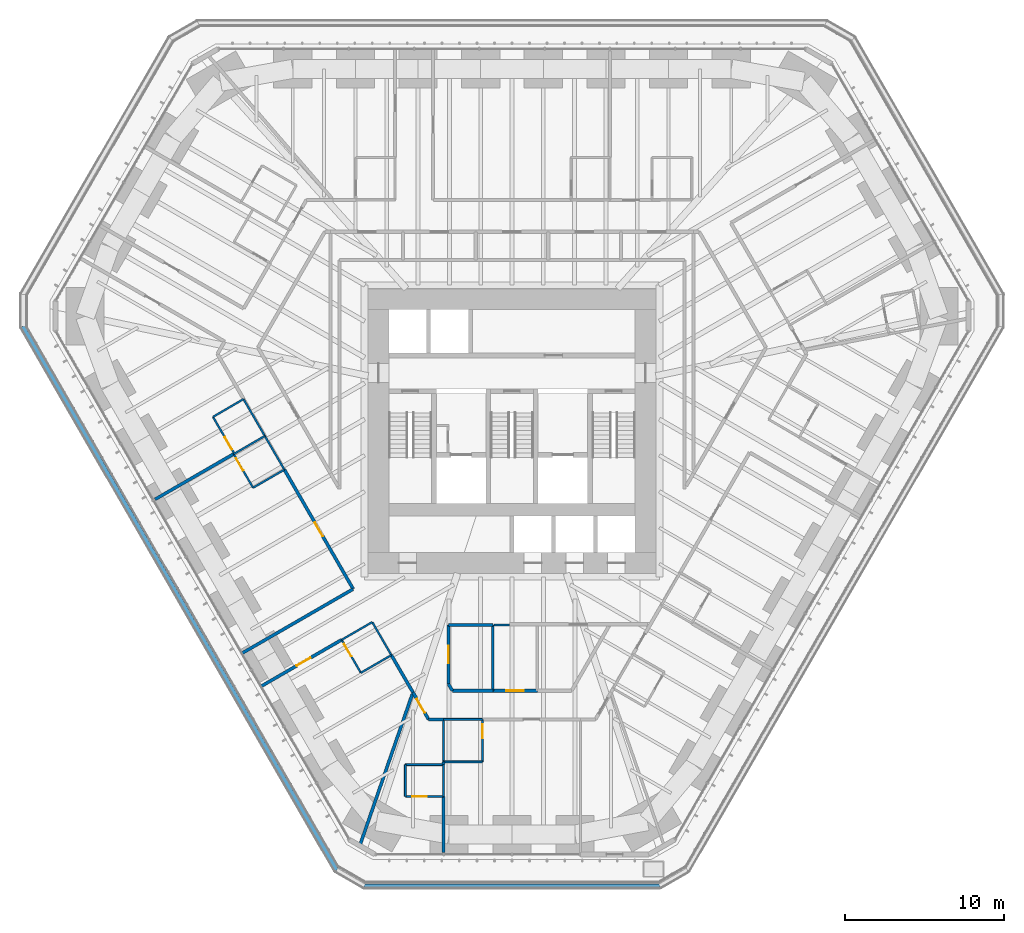
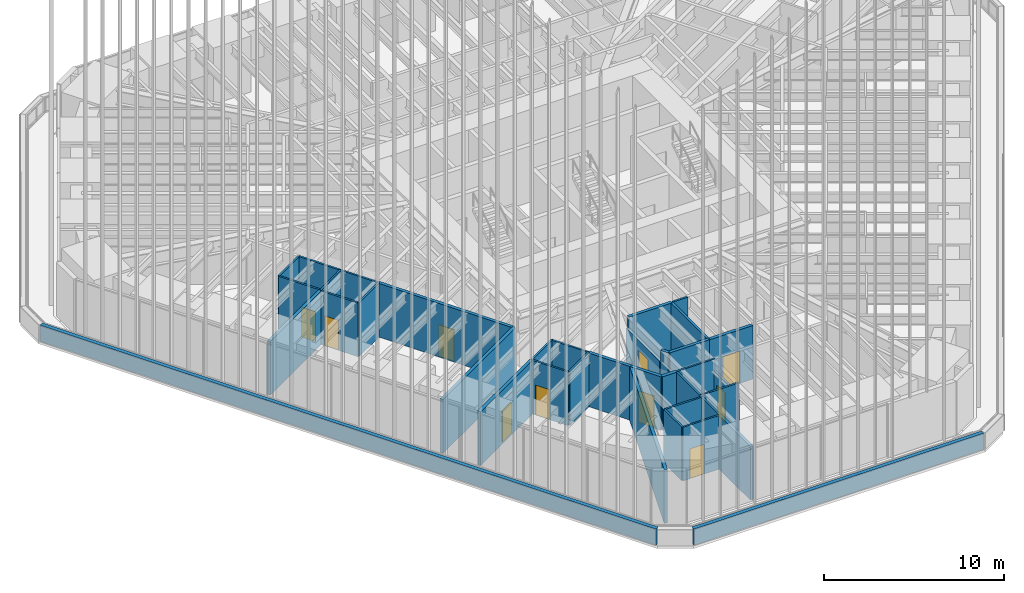
# One storey, part 230 of 238: 38 walls, 10 doors, 10 openings.
"""IFC4 building model written with IfcOpenShell, lengths in metres."""

from ifc_helpers import new_model, si_unit, direction, frame, frame_2d, origin, place, context, subcontext, project, spatial, rectangle, extrude, material, layer, layer_set, type_object, element, fill, save


model = new_model("IFC4")

# Units and contexts
model_context = context("Model", 3, precision=1e-05, world=origin(), true_north=direction((0.0, 1.0)))
body_context = subcontext(model_context, "Body", "Model", "MODEL_VIEW")
ifc_project = project(units=[si_unit("LENGTHUNIT", "METRE"), si_unit("AREAUNIT", "SQUARE_METRE"), si_unit("VOLUMEUNIT", "CUBIC_METRE"), si_unit("PLANEANGLEUNIT", "RADIAN"), si_unit("MASSUNIT", "GRAM", prefix="KILO")], contexts=[model_context])

# Site, building, storey
site_placement = place(None, origin())
site = spatial("IfcSite", under=ifc_project, at=site_placement, CompositionType="ELEMENT")
building_placement = place(site_placement, origin())
building = spatial("IfcBuilding", under=site, at=building_placement, Name="Sandreach Pilgrim Tower", CompositionType="ELEMENT")
storey_placement = place(building_placement, frame((0.0, 0.0, 96.800048828125)))
storey = spatial("IfcBuildingStorey", under=building, at=storey_placement, Name="L23", CompositionType="ELEMENT", Elevation=96.800048828125)

# Wall
ifc_material_1 = material(Name="Gypsum board on steel studs", Category="steel")
ifc_layer_1 = layer(ifc_material_1, 0.14990234375)
ifc_layer_set_1 = layer_set([ifc_layer_1], Name="Back of house wall 150")
wall_type_1 = type_object("IfcWallType", Name="Back of house wall 150", PredefinedType="PARTITIONING", material=ifc_layer_set_1)
wall_1_placement = place(storey_placement, frame((-1.199951171875, -13.75, 0.0), z_axis=(0.0, 0.0, 1.0), x_axis=(0.0, -1.0, 0.0)))
element("IfcWall", 1, at=wall_1_placement, inside=storey, type_object=wall_type_1, Name="Back of house wall L23-073", PredefinedType="PARTITIONING", context=body_context, shape_type="SweptSolid", body=[
    extrude(rectangle(XDim=4.139892578125, YDim=0.14990234375, at=frame_2d((2.06982421875, 0.0))), origin(), (0.0, 0.0, 1.0), 3.639892578125),
])

# Wall, opening, door
ifc_material_2 = material(Name="Moisture-resistant gypsum board on steel studs", Category="steel")
ifc_layer_2 = layer(ifc_material_2, 0.1201171875)
ifc_layer_set_2 = layer_set([ifc_layer_2], Name="Bathroom partition 120")
wall_type_2 = type_object("IfcWallType", Name="Bathroom partition 120", PredefinedType="PARTITIONING", material=ifc_layer_set_2)
wall_2_placement = place(storey_placement, frame((-18.81005859375, -0.659912109375, 0.0), z_axis=(0.0, 0.0, 1.0), x_axis=(0.501789229896, -0.86498992408, 0.0)))
wall_2 = element("IfcWall", 2, at=wall_2_placement, inside=storey, type_object=wall_type_2, Name="Bathroom partition L23-003", PredefinedType="PARTITIONING", context=body_context, shape_type="SweptSolid", body=[
    extrude(rectangle(XDim=2.670654296875, YDim=0.1201171875, at=frame_2d((1.33544921875, 0.0))), origin(), (0.0, 0.0, 1.0), 3.639892578125),
])
opening_1_placement = place(wall_2_placement, frame((1.470458984375, 0.0, 0.0)))
opening_1 = element("IfcOpeningElement", 3, at=opening_1_placement, cuts=wall_2, Name="Opening D09-14B", PredefinedType="OPENING", context=body_context, shape_type="SweptSolid", body=[
    extrude(rectangle(XDim=0.89990234375, YDim=2.030029296875, at=frame_2d((0.449951171875, 1.01513671875))), frame((0.0, 0.06005859375, 0.0), z_axis=(0.0, -1.0, 0.0), x_axis=(1.0, 0.0, 0.0)), (0.0, 0.0, 1.0), 0.1201171875),
])
ifc_material_3 = material(Name="Timber door, steel frame", Category="steel")
door_type_1 = type_object("IfcDoorType", Name="Bathroom door", OperationType="SINGLE_SWING_LEFT", PredefinedType="DOOR", material=ifc_material_3)
door_1_placement = place(opening_1_placement, origin())
door_1 = element("IfcDoor", 4, at=door_1_placement, inside=storey, type_object=door_type_1, Name="Door 2314B", OperationType="SINGLE_SWING_RIGHT", OverallHeight=2.030029296875, OverallWidth=0.89990234375, PredefinedType="DOOR", context=body_context, shape_type="SweptSolid", body=[
    extrude(rectangle(XDim=0.89990234375, YDim=2.030029296875, at=frame_2d((0.449951171875, 1.01513671875))), frame((0.0, 0.02490234375, 0.0), z_axis=(0.0, -1.0, 0.0), x_axis=(1.0, 0.0, 0.0)), (0.0, 0.0, 1.0), 0.050048828125),
])
fill(opening_1, door_1)

# Wall
wall_3_placement = place(storey_placement, frame((-17.510009765625, -3.0, 0.0), z_axis=(0.0, 0.0, 1.0), x_axis=(0.864434275542, 0.502745843611, 0.0)))
element("IfcWall", 5, at=wall_3_placement, inside=storey, type_object=wall_type_2, Name="Bathroom partition L23-006", PredefinedType="PARTITIONING", context=body_context, shape_type="SweptSolid", body=[
    extrude(rectangle(XDim=2.267333984375, YDim=0.1201171875, at=frame_2d((1.1337890625, 0.0))), origin(), (0.0, 0.0, 1.0), 3.639892578125),
])

# Wall, opening, door
wall_4_placement = place(storey_placement, frame((-17.507568359375, -3.00439453125, 0.0), z_axis=(0.0, 0.0, 1.0), x_axis=(0.498775507858, -0.866731211369, 0.0)))
wall_4 = element("IfcWall", 6, at=wall_4_placement, inside=storey, type_object=wall_type_2, Name="Bathroom partition L23-007", PredefinedType="PARTITIONING", context=body_context, shape_type="SweptSolid", body=[
    extrude(rectangle(XDim=2.44091796875, YDim=0.1201171875, at=frame_2d((1.220458984375, 0.0))), origin(), (0.0, 0.0, 1.0), 3.639892578125),
])
opening_2_placement = place(wall_4_placement, frame((0.300048828125, 0.0, 0.0)))
opening_2 = element("IfcOpeningElement", 7, at=opening_2_placement, cuts=wall_4, Name="Opening D09-13B", PredefinedType="OPENING", context=body_context, shape_type="SweptSolid", body=[
    extrude(rectangle(XDim=0.89990234375, YDim=2.030029296875, at=frame_2d((0.449951171875, 1.01513671875))), frame((0.0, 0.06005859375, 0.0), z_axis=(0.0, -1.0, 0.0), x_axis=(1.0, 0.0, 0.0)), (0.0, 0.0, 1.0), 0.1201171875),
])
door_2_placement = place(opening_2_placement, origin())
door_2 = element("IfcDoor", 8, at=door_2_placement, inside=storey, type_object=door_type_1, Name="Door 2313B", OperationType="SINGLE_SWING_LEFT", OverallHeight=2.030029296875, OverallWidth=0.89990234375, PredefinedType="DOOR", context=body_context, shape_type="SweptSolid", body=[
    extrude(rectangle(XDim=0.89990234375, YDim=2.030029296875, at=frame_2d((0.449951171875, 1.01513671875))), frame((0.0, 0.02490234375, 0.0), z_axis=(0.0, -1.0, 0.0), x_axis=(1.0, 0.0, 0.0)), (0.0, 0.0, 1.0), 0.050048828125),
])
fill(opening_2, door_2)

# Walls
wall_5_placement = place(storey_placement, frame((-16.889892578125, 0.4599609375, 0.0), z_axis=(0.0, 0.0, 1.0), x_axis=(-0.863822716314, -0.503795905878, 0.0)))
element("IfcWall", 9, at=wall_5_placement, inside=storey, type_object=wall_type_2, Name="Bathroom partition L23-011", PredefinedType="PARTITIONING", context=body_context, shape_type="SweptSolid", body=[
    extrude(rectangle(XDim=2.222900390625, YDim=0.1201171875, at=frame_2d((1.111328125, 0.0))), origin(), (0.0, 0.0, 1.0), 3.639892578125),
])
wall_6_placement = place(storey_placement, frame((-16.2900390625, -5.1201171875, 0.0), z_axis=(0.0, 0.0, 1.0), x_axis=(0.865497265561, 0.500913648553, 0.0)))
element("IfcWall", 10, at=wall_6_placement, inside=storey, type_object=wall_type_2, Name="Bathroom partition L23-014", PredefinedType="PARTITIONING", context=body_context, shape_type="SweptSolid", body=[
    extrude(rectangle(XDim=2.276123046875, YDim=0.1201171875, at=frame_2d((1.13818359375, 0.0))), origin(), (0.0, 0.0, 1.0), 3.639892578125),
])
wall_7_placement = place(storey_placement, frame((-15.550048828125, -1.860107421875, 0.0), z_axis=(0.0, 0.0, 1.0), x_axis=(-0.500098439427, 0.865968562295, 0.0)))
element("IfcWall", 11, at=wall_7_placement, inside=storey, type_object=wall_type_2, Name="Bathroom partition L23-020", PredefinedType="PARTITIONING", context=body_context, shape_type="SweptSolid", body=[
    extrude(rectangle(XDim=2.67919921875, YDim=0.1201171875, at=frame_2d((1.339599609375, 0.0))), origin(), (0.0, 0.0, 1.0), 3.639892578125),
])
wall_8_placement = place(storey_placement, frame((-15.550048828125, -1.860107421875, 0.0), z_axis=(0.0, 0.0, 1.0), x_axis=(0.501856726365, -0.86495076519, 0.0)))
element("IfcWall", 12, at=wall_8_placement, inside=storey, type_object=wall_type_2, Name="Bathroom partition L23-021", PredefinedType="PARTITIONING", context=body_context, shape_type="SweptSolid", body=[
    extrude(rectangle(XDim=2.450927734375, YDim=0.1201171875, at=frame_2d((1.2255859375, 0.0))), origin(), (0.0, 0.0, 1.0), 3.639892578125),
])

# Wall, opening, door
wall_9_placement = place(storey_placement, frame((-10.7099609375, -14.679931640625, 0.0), z_axis=(0.0, 0.0, 1.0), x_axis=(0.499693115345, -0.866202511239, 0.0)))
wall_9 = element("IfcWall", 13, at=wall_9_placement, inside=storey, type_object=wall_type_2, Name="Bathroom partition L23-036", PredefinedType="PARTITIONING", context=body_context, shape_type="SweptSolid", body=[
    extrude(rectangle(XDim=2.4013671875, YDim=0.1201171875, at=frame_2d((1.20068359375, 0.0))), origin(), (0.0, 0.0, 1.0), 3.639892578125),
])
opening_3_placement = place(wall_9_placement, frame((0.300048828125, 0.0, 0.0)))
opening_3 = element("IfcOpeningElement", 14, at=opening_3_placement, cuts=wall_9, Name="Opening D09-12B", PredefinedType="OPENING", context=body_context, shape_type="SweptSolid", body=[
    extrude(rectangle(XDim=0.89990234375, YDim=2.030029296875, at=frame_2d((0.449951171875, 1.01513671875))), frame((0.0, 0.06005859375, 0.0), z_axis=(0.0, -1.0, 0.0), x_axis=(1.0, 0.0, 0.0)), (0.0, 0.0, 1.0), 0.1201171875),
])
door_3_placement = place(opening_3_placement, origin())
door_3 = element("IfcDoor", 15, at=door_3_placement, inside=storey, type_object=door_type_1, Name="Door 2312B", OperationType="SINGLE_SWING_LEFT", OverallHeight=2.030029296875, OverallWidth=0.89990234375, PredefinedType="DOOR", context=body_context, shape_type="SweptSolid", body=[
    extrude(rectangle(XDim=0.89990234375, YDim=2.030029296875, at=frame_2d((0.449951171875, 1.01513671875))), frame((0.0, 0.02490234375, 0.0), z_axis=(0.0, -1.0, 0.0), x_axis=(1.0, 0.0, 0.0)), (0.0, 0.0, 1.0), 0.050048828125),
])
fill(opening_3, door_3)

# Walls
wall_10_placement = place(storey_placement, frame((-10.7099609375, -14.679931640625, 0.0), z_axis=(0.0, 0.0, 1.0), x_axis=(0.86575271903, 0.500472006703, 0.0)))
element("IfcWall", 16, at=wall_10_placement, inside=storey, type_object=wall_type_2, Name="Bathroom partition L23-037", PredefinedType="PARTITIONING", context=body_context, shape_type="SweptSolid", body=[
    extrude(rectangle(XDim=2.217529296875, YDim=0.1201171875, at=frame_2d((1.10888671875, 0.0))), origin(), (0.0, 0.0, 1.0), 3.639892578125),
])
wall_11_placement = place(storey_placement, frame((-9.510009765625, -16.760009765625, 0.0), z_axis=(0.0, 0.0, 1.0), x_axis=(0.865705017107, 0.500554515868, 0.0)))
element("IfcWall", 17, at=wall_11_placement, inside=storey, type_object=wall_type_2, Name="Bathroom partition L23-042", PredefinedType="PARTITIONING", context=body_context, shape_type="SweptSolid", body=[
    extrude(rectangle(XDim=2.2177734375, YDim=0.1201171875, at=frame_2d((1.10888671875, 0.0))), origin(), (0.0, 0.0, 1.0), 3.639892578125),
])
wall_12_placement = place(storey_placement, frame((-8.7900390625, -13.570068359375, 0.0), z_axis=(0.0, 0.0, 1.0), x_axis=(0.499737123639, -0.866177122335, 0.0)))
element("IfcWall", 18, at=wall_12_placement, inside=storey, type_object=wall_type_2, Name="Bathroom partition L23-043", PredefinedType="PARTITIONING", context=body_context, shape_type="SweptSolid", body=[
    extrude(rectangle(XDim=2.401123046875, YDim=0.1201171875, at=frame_2d((1.20068359375, 0.0))), origin(), (0.0, 0.0, 1.0), 3.639892578125),
])

# Wall, opening, door
wall_13_placement = place(storey_placement, frame((-6.7099609375, -24.5400390625, 0.0), z_axis=(0.0, 0.0, 1.0), x_axis=(1.0, 0.0, 0.0)))
wall_13 = element("IfcWall", 19, at=wall_13_placement, inside=storey, type_object=wall_type_2, Name="Bathroom partition L23-052", PredefinedType="PARTITIONING", context=body_context, shape_type="SweptSolid", body=[
    extrude(rectangle(XDim=2.39990234375, YDim=0.1201171875, at=frame_2d((1.199951171875, 0.0))), origin(), (0.0, 0.0, 1.0), 3.639892578125),
])
opening_4_placement = place(wall_13_placement, frame((0.449951171875, 0.0, 0.0)))
opening_4 = element("IfcOpeningElement", 20, at=opening_4_placement, cuts=wall_13, Name="Opening D09-11B", PredefinedType="OPENING", context=body_context, shape_type="SweptSolid", body=[
    extrude(rectangle(XDim=0.89990234375, YDim=2.030029296875, at=frame_2d((0.449951171875, 1.01513671875))), frame((0.0, 0.06005859375, 0.0), z_axis=(0.0, -1.0, 0.0), x_axis=(1.0, 0.0, 0.0)), (0.0, 0.0, 1.0), 0.1201171875),
])
door_4_placement = place(opening_4_placement, origin())
door_4 = element("IfcDoor", 21, at=door_4_placement, inside=storey, type_object=door_type_1, Name="Door 2311B", OperationType="SINGLE_SWING_LEFT", OverallHeight=2.030029296875, OverallWidth=0.89990234375, PredefinedType="DOOR", context=body_context, shape_type="SweptSolid", body=[
    extrude(rectangle(XDim=0.89990234375, YDim=2.030029296875, at=frame_2d((0.449951171875, 1.01513671875))), frame((0.0, 0.02490234375, 0.0), z_axis=(0.0, -1.0, 0.0), x_axis=(1.0, 0.0, 0.0)), (0.0, 0.0, 1.0), 0.050048828125),
])
fill(opening_4, door_4)

# Walls
for number, where, z_axis, x_axis, name in (
    (22, (-6.7099609375, -22.5400390625, 0.0), (0.0, 0.0, 1.0), (0.0, -1.0, 0.0), "Bathroom partition L23-053"),
    (23, (-4.31005859375, -24.5400390625, 0.0), (0.0, 0.0, 1.0), (0.0, 1.0, 0.0), "Bathroom partition L23-058"),
):
    element("IfcWall", number, at=place(storey_placement, frame(where, z_axis=z_axis, x_axis=x_axis)), inside=storey, type_object=wall_type_2, Name=name, PredefinedType="PARTITIONING", context=body_context, shape_type="SweptSolid", body=[
        extrude(rectangle(XDim=2.0, YDim=0.1201171875, at=frame_2d((1.0, 0.0))), origin(), (0.0, 0.0, 1.0), 3.639892578125),
    ])
wall_14_placement = place(storey_placement, frame((-4.31005859375, -22.5400390625, 0.0), z_axis=(0.0, 0.0, 1.0), x_axis=(-1.0, 0.0, 0.0)))
element("IfcWall", 24, at=wall_14_placement, inside=storey, type_object=wall_type_2, Name="Bathroom partition L23-059", PredefinedType="PARTITIONING", context=body_context, shape_type="SweptSolid", body=[
    extrude(rectangle(XDim=2.39990234375, YDim=0.1201171875, at=frame_2d((1.199951171875, 0.0))), origin(), (0.0, 0.0, 1.0), 3.639892578125),
])
wall_15_placement = place(storey_placement, frame((-4.31005859375, -22.360107421875, 0.0), z_axis=(0.0, 0.0, 1.0), x_axis=(0.0, 1.0, 0.0)))
element("IfcWall", 25, at=wall_15_placement, inside=storey, type_object=wall_type_2, Name="Bathroom partition L23-061", PredefinedType="PARTITIONING", context=body_context, shape_type="SweptSolid", body=[
    extrude(rectangle(XDim=2.670166015625, YDim=0.1201171875, at=frame_2d((1.3349609375, 0.0))), origin(), (0.0, 0.0, 1.0), 3.639892578125),
])
for number, where, z_axis, x_axis, name in (
    (26, (-4.31005859375, -22.360107421875, 0.0), (0.0, 0.0, 1.0), (1.0, 0.0, 0.0), "Bathroom partition L23-062"),
    (27, (-4.31005859375, -19.68994140625, 0.0), (0.0, 0.0, 1.0), (1.0, 0.0, 0.0), "Bathroom partition L23-063"),
):
    element("IfcWall", number, at=place(storey_placement, frame(where, z_axis=z_axis, x_axis=x_axis)), inside=storey, type_object=wall_type_2, Name=name, PredefinedType="PARTITIONING", context=body_context, shape_type="SweptSolid", body=[
        extrude(rectangle(XDim=2.449951171875, YDim=0.1201171875, at=frame_2d((1.22509765625, 0.0))), origin(), (0.0, 0.0, 1.0), 3.639892578125),
    ])

# Wall, opening, door
wall_16_placement = place(storey_placement, frame((-1.860107421875, -22.360107421875, 0.0), z_axis=(0.0, 0.0, 1.0), x_axis=(0.0, 1.0, 0.0)))
wall_16 = element("IfcWall", 28, at=wall_16_placement, inside=storey, type_object=wall_type_2, Name="Bathroom partition L23-070", PredefinedType="PARTITIONING", context=body_context, shape_type="SweptSolid", body=[
    extrude(rectangle(XDim=2.670166015625, YDim=0.1201171875, at=frame_2d((1.3349609375, 0.0))), origin(), (0.0, 0.0, 1.0), 2.860107421875),
])
opening_5_placement = place(wall_16_placement, frame((1.469970703125, 0.0, 0.0)))
opening_5 = element("IfcOpeningElement", 29, at=opening_5_placement, cuts=wall_16, Name="Opening D09-10B", PredefinedType="OPENING", context=body_context, shape_type="SweptSolid", body=[
    extrude(rectangle(XDim=0.89990234375, YDim=2.030029296875, at=frame_2d((0.449951171875, 1.01513671875))), frame((0.0, 0.06005859375, 0.0), z_axis=(0.0, -1.0, 0.0), x_axis=(1.0, 0.0, 0.0)), (0.0, 0.0, 1.0), 0.1201171875),
])
door_5_placement = place(opening_5_placement, origin())
door_5 = element("IfcDoor", 30, at=door_5_placement, inside=storey, type_object=door_type_1, Name="Door 2310B", OperationType="SINGLE_SWING_RIGHT", OverallHeight=2.030029296875, OverallWidth=0.89990234375, PredefinedType="DOOR", context=body_context, shape_type="SweptSolid", body=[
    extrude(rectangle(XDim=0.89990234375, YDim=2.030029296875, at=frame_2d((0.449951171875, 1.01513671875))), frame((0.0, 0.02490234375, 0.0), z_axis=(0.0, -1.0, 0.0), x_axis=(1.0, 0.0, 0.0)), (0.0, 0.0, 1.0), 0.050048828125),
])
fill(opening_5, door_5)

# Wall
wall_17_placement = place(storey_placement, frame((-1.125, -13.75, 0.0), z_axis=(0.0, 0.0, 1.0), x_axis=(1.0, 0.0, 0.0)))
element("IfcWall", 31, at=wall_17_placement, inside=storey, type_object=wall_type_2, Name="Bathroom partition L23-074", PredefinedType="PARTITIONING", context=body_context, shape_type="SweptSolid", body=[
    extrude(rectangle(XDim=0.955078125, YDim=0.1201171875, at=frame_2d((0.4775390625, 0.0))), origin(), (0.0, 0.0, 1.0), 3.639892578125),
])

# Wall, opening, door
ifc_material_4 = material(Name="Gypsum board on steel studs, two layers each side", Category="steel")
ifc_layer_3 = layer(ifc_material_4, 0.199951171875)
ifc_layer_set_3 = layer_set([ifc_layer_3], Name="Corridor wall 200")
wall_type_3 = type_object("IfcWallType", Name="Corridor wall 200", PredefinedType="PARTITIONING", material=ifc_layer_set_3)
wall_18_placement = place(storey_placement, frame((-15.77392578125, -17.60498046875, 0.0), z_axis=(0.0, 0.0, 1.0), x_axis=(0.865924141063, 0.500175351175, 0.0)))
wall_18 = element("IfcWall", 32, at=wall_18_placement, inside=storey, type_object=wall_type_3, Name="Corridor wall L23-018", PredefinedType="PARTITIONING", context=body_context, shape_type="SweptSolid", body=[
    extrude(rectangle(XDim=5.84814453125, YDim=0.199951171875, at=frame_2d((2.924072265625, 0.0))), origin(), (0.0, 0.0, 1.0), 3.639892578125),
])
opening_6_placement = place(wall_18_placement, frame((2.57421875, 0.0, 0.0)))
opening_6 = element("IfcOpeningElement", 33, at=opening_6_placement, cuts=wall_18, Name="Opening D10-12", PredefinedType="OPENING", context=body_context, shape_type="SweptSolid", body=[
    extrude(rectangle(XDim=1.0, YDim=2.1298828125, at=frame_2d((0.5, 1.06494140625))), frame((0.0, 0.10009765625, 0.0), z_axis=(0.0, -1.0, 0.0), x_axis=(1.0, 0.0, 0.0)), (0.0, 0.0, 1.0), 0.199951171875),
])
ifc_material_5 = material(Name="Steel door and frame", Category="steel")
door_type_2 = type_object("IfcDoorType", Name="Guest room entry door", OperationType="SINGLE_SWING_LEFT", PredefinedType="DOOR", material=ifc_material_5)
door_6_placement = place(opening_6_placement, origin())
door_6 = element("IfcDoor", 34, at=door_6_placement, inside=storey, type_object=door_type_2, Name="Door 2312", OperationType="SINGLE_SWING_RIGHT", OverallHeight=2.1298828125, OverallWidth=1.0, PredefinedType="DOOR", context=body_context, shape_type="SweptSolid", body=[
    extrude(rectangle(XDim=1.0, YDim=2.1298828125, at=frame_2d((0.5, 1.06494140625))), frame((0.0, 0.02490234375, 0.0), z_axis=(0.0, -1.0, 0.0), x_axis=(1.0, 0.0, 0.0)), (0.0, 0.0, 1.0), 0.050048828125),
])
fill(opening_6, door_6)

wall_19_placement = place(storey_placement, frame((-14.320068359375, -3.97998046875, 0.0), z_axis=(0.0, 0.0, 1.0), x_axis=(0.499495696009, -0.866316368118, 0.0)))
wall_19 = element("IfcWall", 35, at=wall_19_placement, inside=storey, type_object=wall_type_3, Name="Corridor wall L23-025", PredefinedType="PARTITIONING", context=body_context, shape_type="SweptSolid", body=[
    extrude(rectangle(XDim=8.6689453125, YDim=0.199951171875, at=frame_2d((4.33447265625, 0.0))), origin(), (0.0, 0.0, 1.0), 3.639892578125),
])
opening_7_placement = place(wall_19_placement, frame((3.83447265625, 0.0, 0.0)))
opening_7 = element("IfcOpeningElement", 36, at=opening_7_placement, cuts=wall_19, Name="Opening D10-13", PredefinedType="OPENING", context=body_context, shape_type="SweptSolid", body=[
    extrude(rectangle(XDim=1.0, YDim=2.1298828125, at=frame_2d((0.5, 1.06494140625))), frame((0.0, 0.10009765625, 0.0), z_axis=(0.0, -1.0, 0.0), x_axis=(1.0, 0.0, 0.0)), (0.0, 0.0, 1.0), 0.199951171875),
])
door_7_placement = place(opening_7_placement, origin())
door_7 = element("IfcDoor", 37, at=door_7_placement, inside=storey, type_object=door_type_2, Name="Door 2313", OperationType="SINGLE_SWING_LEFT", OverallHeight=2.1298828125, OverallWidth=1.0, PredefinedType="DOOR", context=body_context, shape_type="SweptSolid", body=[
    extrude(rectangle(XDim=1.0, YDim=2.1298828125, at=frame_2d((0.5, 1.06494140625))), frame((0.0, 0.02490234375, 0.0), z_axis=(0.0, -1.0, 0.0), x_axis=(1.0, 0.0, 0.0)), (0.0, 0.0, 1.0), 0.050048828125),
])
fill(opening_7, door_7)

# Walls
wall_20_placement = place(storey_placement, frame((-10.0029296875, -11.49755859375, 0.0), z_axis=(0.0, 0.0, 1.0), x_axis=(-0.865882003792, -0.500248293859, 0.0)))
element("IfcWall", 38, at=wall_20_placement, inside=storey, type_object=wall_type_3, Name="Corridor wall L23-038", PredefinedType="PARTITIONING", context=body_context, shape_type="SweptSolid", body=[
    extrude(rectangle(XDim=8.05078125, YDim=0.199951171875, at=frame_2d((4.025390625, 0.0))), origin(), (0.0, 0.0, 1.0), 3.639892578125),
])
wall_21_placement = place(storey_placement, frame((-7.590087890625, -15.64990234375, 0.0), z_axis=(0.0, 0.0, 1.0), x_axis=(0.502507574725, -0.864572806271, 0.0)))
element("IfcWall", 39, at=wall_21_placement, inside=storey, type_object=wall_type_3, Name="Corridor wall L23-044", PredefinedType="PARTITIONING", context=body_context, shape_type="SweptSolid", body=[
    extrude(rectangle(XDim=2.70654296875, YDim=0.199951171875, at=frame_2d((1.353271484375, 0.0))), origin(), (0.0, 0.0, 1.0), 3.639892578125),
])

# Wall, opening, door
wall_22_placement = place(storey_placement, frame((-6.22998046875, -17.989990234375, 0.0), z_axis=(0.0, 0.0, 1.0), x_axis=(0.499431599995, -0.866353321068, 0.0)))
wall_22 = element("IfcWall", 40, at=wall_22_placement, inside=storey, type_object=wall_type_3, Name="Corridor wall L23-054", PredefinedType="PARTITIONING", context=body_context, shape_type="SweptSolid", body=[
    extrude(rectangle(XDim=1.962158203125, YDim=0.199951171875, at=frame_2d((0.98095703125, 0.0))), origin(), (0.0, 0.0, 1.0), 3.639892578125),
])
opening_8_placement = place(wall_22_placement, frame((0.481201171875, 0.0, 0.0)))
opening_8 = element("IfcOpeningElement", 41, at=opening_8_placement, cuts=wall_22, Name="Opening D10-11", PredefinedType="OPENING", context=body_context, shape_type="SweptSolid", body=[
    extrude(rectangle(XDim=1.0, YDim=2.1298828125, at=frame_2d((0.5, 1.06494140625))), frame((0.0, 0.10009765625, 0.0), z_axis=(0.0, -1.0, 0.0), x_axis=(1.0, 0.0, 0.0)), (0.0, 0.0, 1.0), 0.199951171875),
])
door_8_placement = place(opening_8_placement, origin())
door_8 = element("IfcDoor", 42, at=door_8_placement, inside=storey, type_object=door_type_2, Name="Door 2311", OperationType="SINGLE_SWING_LEFT", OverallHeight=2.1298828125, OverallWidth=1.0, PredefinedType="DOOR", context=body_context, shape_type="SweptSolid", body=[
    extrude(rectangle(XDim=1.0, YDim=2.1298828125, at=frame_2d((0.5, 1.06494140625))), frame((0.0, 0.02490234375, 0.0), z_axis=(0.0, -1.0, 0.0), x_axis=(1.0, 0.0, 0.0)), (0.0, 0.0, 1.0), 0.050048828125),
])
fill(opening_8, door_8)

# Wall
wall_23_placement = place(storey_placement, frame((-5.25, -19.68994140625, 0.0), z_axis=(0.0, 0.0, 1.0), x_axis=(1.0, 0.0, 0.0)))
element("IfcWall", 43, at=wall_23_placement, inside=storey, type_object=wall_type_3, Name="Corridor wall L23-055", PredefinedType="PARTITIONING", context=body_context, shape_type="SweptSolid", body=[
    extrude(rectangle(XDim=0.93994140625, YDim=0.199951171875, at=frame_2d((0.469970703125, 0.0))), origin(), (0.0, 0.0, 1.0), 3.639892578125),
])

# Wall, opening, door
wall_24_placement = place(storey_placement, frame((-4.0, -17.4599609375, 0.0), z_axis=(0.0, 0.0, 1.0), x_axis=(0.0, 1.0, 0.0)))
wall_24 = element("IfcWall", 44, at=wall_24_placement, inside=storey, type_object=wall_type_3, Name="Corridor wall L23-064", PredefinedType="PARTITIONING", context=body_context, shape_type="SweptSolid", body=[
    extrude(rectangle(XDim=3.7099609375, YDim=0.199951171875, at=frame_2d((1.85498046875, 0.0))), origin(), (0.0, 0.0, 1.0), 2.8779296875),
])
opening_9_placement = place(wall_24_placement, frame((1.304931640625, 0.0, 0.0)))
opening_9 = element("IfcOpeningElement", 45, at=opening_9_placement, cuts=wall_24, Name="Opening D11H-S2", PredefinedType="OPENING", context=body_context, shape_type="SweptSolid", body=[
    extrude(rectangle(XDim=1.10009765625, YDim=2.199951171875, at=frame_2d((0.550048828125, 1.10009765625))), frame((0.0, 0.10009765625, 0.0), z_axis=(0.0, -1.0, 0.0), x_axis=(1.0, 0.0, 0.0)), (0.0, 0.0, 1.0), 0.199951171875),
])
ifc_material_6 = material(Name="Steel door and frame", Category="steel")
door_type_3 = type_object("IfcDoorType", Name="Back of house door", OperationType="SINGLE_SWING_LEFT", PredefinedType="DOOR", material=ifc_material_6)
door_9_placement = place(opening_9_placement, origin())
door_9 = element("IfcDoor", 46, at=door_9_placement, inside=storey, type_object=door_type_3, Name="Door 23S2", OperationType="SINGLE_SWING_LEFT", OverallHeight=2.199951171875, OverallWidth=1.10009765625, PredefinedType="DOOR", context=body_context, shape_type="SweptSolid", body=[
    extrude(rectangle(XDim=1.10009765625, YDim=2.199951171875, at=frame_2d((0.550048828125, 1.10009765625))), frame((0.0, 0.02490234375, 0.0), z_axis=(0.0, -1.0, 0.0), x_axis=(1.0, 0.0, 0.0)), (0.0, 0.0, 1.0), 0.050048828125),
])
fill(opening_9, door_9)

# Walls
wall_25_placement = place(storey_placement, frame((-3.989990234375, -13.75, 0.0), z_axis=(0.0, 0.0, 1.0), x_axis=(1.0, 0.0, 0.0)))
element("IfcWall", 47, at=wall_25_placement, inside=storey, type_object=wall_type_3, Name="Corridor wall L23-065", PredefinedType="PARTITIONING", context=body_context, shape_type="SweptSolid", body=[
    extrude(rectangle(XDim=2.7900390625, YDim=0.199951171875, at=frame_2d((1.39501953125, 0.0))), origin(), (0.0, 0.0, 1.0), 3.639892578125),
])
wall_26_placement = place(storey_placement, frame((-3.75, -17.889892578125, 0.0), z_axis=(0.0, 0.0, 1.0), x_axis=(-0.502680181512, 0.864472460588, 0.0)))
element("IfcWall", 48, at=wall_26_placement, inside=storey, type_object=wall_type_3, Name="Corridor wall L23-066", PredefinedType="PARTITIONING", context=body_context, shape_type="SweptSolid", body=[
    extrude(rectangle(XDim=0.497314453125, YDim=0.199951171875, at=frame_2d((0.24853515625, 0.0))), origin(), (0.0, 0.0, 1.0), 3.639892578125),
])
wall_27_placement = place(storey_placement, frame((-1.199951171875, -17.889892578125, 0.0), z_axis=(0.0, 0.0, 1.0), x_axis=(-1.0, 0.0, 0.0)))
element("IfcWall", 49, at=wall_27_placement, inside=storey, type_object=wall_type_3, Name="Corridor wall L23-072", PredefinedType="PARTITIONING", context=body_context, shape_type="SweptSolid", body=[
    extrude(rectangle(XDim=2.550048828125, YDim=0.199951171875, at=frame_2d((1.27490234375, 0.0))), origin(), (0.0, 0.0, 1.0), 3.639892578125),
])

# Wall, opening, door
wall_28_placement = place(storey_placement, frame((1.60009765625, -17.889892578125, 0.0), z_axis=(0.0, 0.0, 1.0), x_axis=(-1.0, 0.0, 0.0)))
wall_28 = element("IfcWall", 50, at=wall_28_placement, inside=storey, type_object=wall_type_3, Name="Corridor wall L23-075", PredefinedType="PARTITIONING", context=body_context, shape_type="SweptSolid", body=[
    extrude(rectangle(XDim=2.800048828125, YDim=0.199951171875, at=frame_2d((1.39990234375, 0.0))), origin(), (0.0, 0.0, 1.0), 3.639892578125),
])
opening_10_placement = place(wall_28_placement, frame((0.85009765625, 0.0, 0.0)))
opening_10 = element("IfcOpeningElement", 51, at=opening_10_placement, cuts=wall_28, Name="Opening D11H-S3", PredefinedType="OPENING", context=body_context, shape_type="SweptSolid", body=[
    extrude(rectangle(XDim=1.10009765625, YDim=2.199951171875, at=frame_2d((0.550048828125, 1.10009765625))), frame((0.0, 0.10009765625, 0.0), z_axis=(0.0, -1.0, 0.0), x_axis=(1.0, 0.0, 0.0)), (0.0, 0.0, 1.0), 0.199951171875),
])
door_10_placement = place(opening_10_placement, origin())
door_10 = element("IfcDoor", 52, at=door_10_placement, inside=storey, type_object=door_type_3, Name="Door 23S3", OperationType="SINGLE_SWING_LEFT", OverallHeight=2.199951171875, OverallWidth=1.10009765625, PredefinedType="DOOR", context=body_context, shape_type="SweptSolid", body=[
    extrude(rectangle(XDim=1.10009765625, YDim=2.199951171875, at=frame_2d((0.550048828125, 1.10009765625))), frame((0.0, 0.02490234375, 0.0), z_axis=(0.0, -1.0, 0.0), x_axis=(1.0, 0.0, 0.0)), (0.0, 0.0, 1.0), 0.050048828125),
])
fill(opening_10, door_10)

# Walls
ifc_material_7 = material(Name="Double steel stud acoustic wall, gypsum board", Category="steel")
ifc_layer_4 = layer(ifc_material_7, 0.199951171875)
ifc_layer_set_4 = layer_set([ifc_layer_4], Name="Party wall 200")
wall_type_4 = type_object("IfcWallType", Name="Party wall 200", PredefinedType="PARTITIONING", material=ifc_layer_set_4)
wall_29_placement = place(storey_placement, frame((-17.469970703125, -2.969970703125, 0.0), z_axis=(0.0, 0.0, 1.0), x_axis=(-0.865919350456, -0.50018364478, 0.0)))
element("IfcWall", 53, at=wall_29_placement, inside=storey, type_object=wall_type_4, Name="Party wall L23-009", PredefinedType="PARTITIONING", context=body_context, shape_type="SweptSolid", body=[
    extrude(rectangle(XDim=5.758056640625, YDim=0.199951171875, at=frame_2d((2.87890625, 0.0))), origin(), (0.0, 0.0, 1.0), 3.639892578125),
])
wall_30_placement = place(storey_placement, frame((-9.580078125, -27.651611328125, 0.0), z_axis=(0.0, 0.0, 1.0), x_axis=(0.327601243296, 0.944816080193, 0.0)))
element("IfcWall", 54, at=wall_30_placement, inside=storey, type_object=wall_type_4, Name="Party wall L23-041", PredefinedType="PARTITIONING", context=body_context, shape_type="SweptSolid", body=[
    extrude(rectangle(XDim=10.115966796875, YDim=0.199951171875, at=frame_2d((5.05810546875, 0.0))), origin(), (0.0, 0.0, 1.0), 3.639892578125),
])
wall_31_placement = place(storey_placement, frame((-4.31005859375, -28.070068359375, 0.0), z_axis=(0.0, 0.0, 1.0), x_axis=(0.0, 1.0, 0.0)))
element("IfcWall", 55, at=wall_31_placement, inside=storey, type_object=wall_type_4, Name="Party wall L23-057", PredefinedType="PARTITIONING", context=body_context, shape_type="SweptSolid", body=[
    extrude(rectangle(XDim=3.530029296875, YDim=0.199951171875, at=frame_2d((1.76513671875, 0.0))), origin(), (0.0, 0.0, 1.0), 3.639892578125),
])
wall_32_placement = place(storey_placement, frame((-4.31005859375, -22.5400390625, 0.0), z_axis=(0.0, 0.0, 1.0), x_axis=(0.0, 1.0, 0.0)))
element("IfcWall", 56, at=wall_32_placement, inside=storey, type_object=wall_type_4, Name="Party wall L23-060", PredefinedType="PARTITIONING", context=body_context, shape_type="SweptSolid", body=[
    extrude(rectangle(XDim=0.179931640625, YDim=0.199951171875, at=frame_2d((0.08984375, 0.0))), origin(), (0.0, 0.0, 1.0), 3.639892578125),
])
ifc_material_8 = material(Name="Concrete parapet with terracotta coping", Category="masonry")
ifc_layer_5 = layer(ifc_material_8, 0.25)
ifc_layer_set_5 = layer_set([ifc_layer_5], Name="Setback parapet")
wall_type_5 = type_object("IfcWallType", Name="Setback parapet", PredefinedType="PARAPET", material=ifc_layer_set_5)
wall_33_placement = place(storey_placement, frame((-30.774658203125, 5.037841796875, 0.0), z_axis=(0.0, 0.0, 1.0), x_axis=(0.499999235055, -0.866025845425, 0.0)))
element("IfcWall", 57, at=wall_33_placement, inside=storey, type_object=wall_type_5, Name="Setback parapet L23 4", PredefinedType="PARAPET", context=body_context, shape_type="SweptSolid", body=[
    extrude(rectangle(XDim=39.50048828125, YDim=0.25, at=frame_2d((19.750244140625, 0.0))), origin(), (0.0, 0.0, 1.0), 1.099853515625),
])
wall_34_placement = place(storey_placement, frame((-9.301025390625, -30.16748046875, 0.0), z_axis=(0.0, 0.0, 1.0), x_axis=(1.0, 0.0, 0.0)))
element("IfcWall", 58, at=wall_34_placement, inside=storey, type_object=wall_type_5, Name="Setback parapet L23 6", PredefinedType="PARAPET", context=body_context, shape_type="SweptSolid", body=[
    extrude(rectangle(XDim=18.60205078125, YDim=0.25, at=frame_2d((9.301025390625, 0.0))), origin(), (0.0, 0.0, 1.0), 1.099853515625),
])

save(model, "model.ifc")
